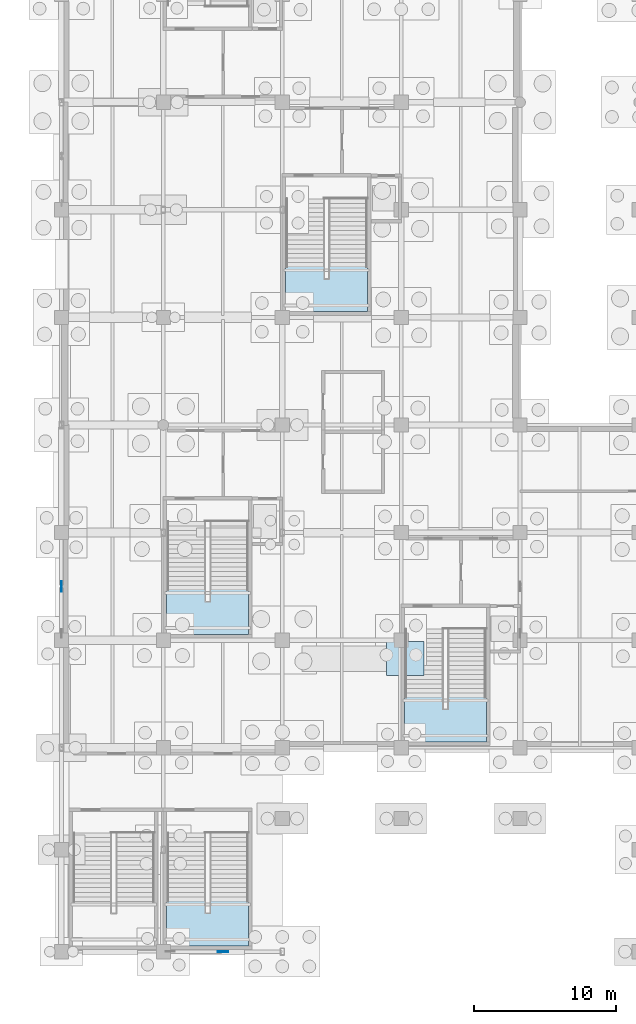
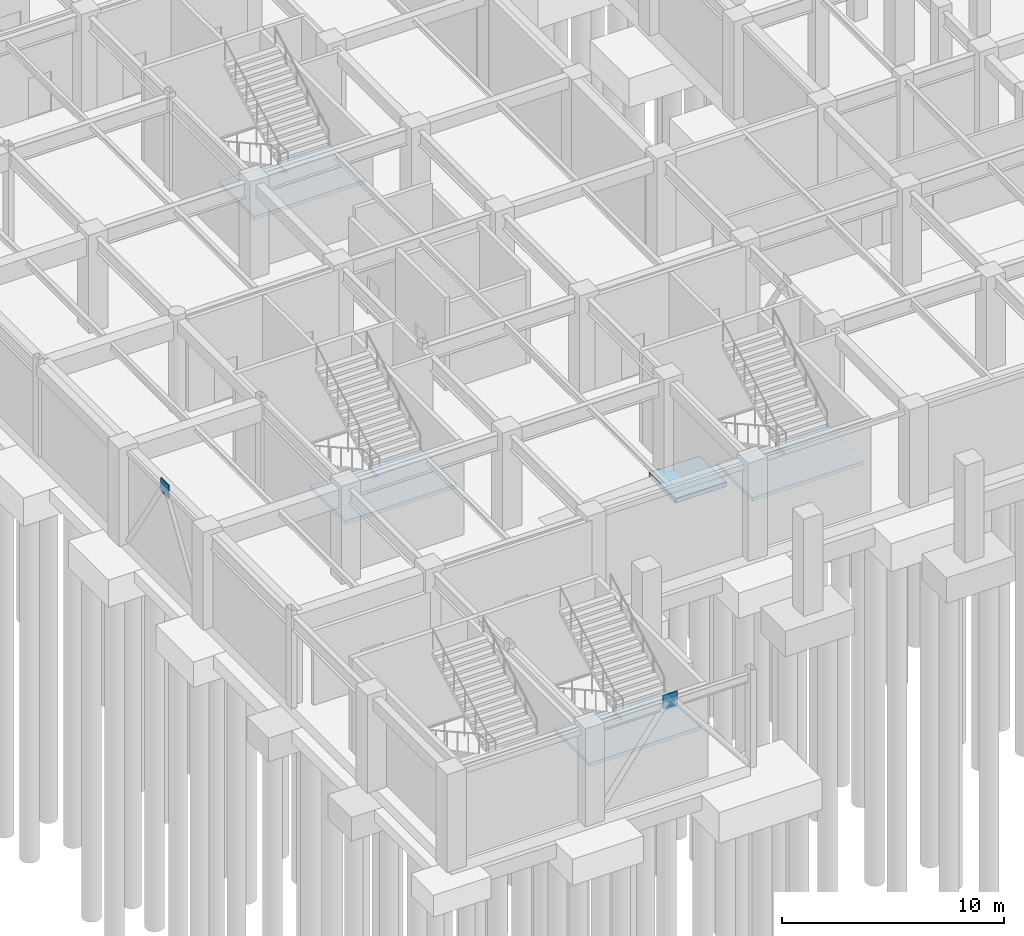
# One storey, part 31 of 52: 5 slabs, 2 plates, 4 elements without a shape of their own.
"""IFC4 building model written with IfcOpenShell, lengths in metres."""

from ifc_helpers import new_model, si_unit, direction, frame, origin, origin_2d, place, context, subcontext, project, spatial, polyline, rectangle, outline, extrude, material, layer, layer_set, type_object, element, aggregate, save


model = new_model("IFC4")

# Units and contexts
model_context = context("Model", 3, precision=1e-05, world=origin(), true_north=direction((0.0, 1.0)))
body_context = subcontext(model_context, "Body", "Model", "MODEL_VIEW")
ifc_project = project(units=[si_unit("LENGTHUNIT", "METRE"), si_unit("AREAUNIT", "SQUARE_METRE"), si_unit("VOLUMEUNIT", "CUBIC_METRE"), si_unit("PLANEANGLEUNIT", "RADIAN"), si_unit("MASSUNIT", "GRAM", prefix="KILO")], contexts=[model_context])

# Site, building, storey
site_placement = place(None, origin())
site = spatial("IfcSite", under=ifc_project, at=site_placement, CompositionType="ELEMENT")
building_placement = place(site_placement, origin())
building = spatial("IfcBuilding", under=site, at=building_placement, Name="Xicomal Pleat Aquarium", CompositionType="ELEMENT")
storey_placement = place(building_placement, frame((0.0, 0.0, -5.39990234375)))
storey = spatial("IfcBuildingStorey", under=building, at=storey_placement, Name="B1", CompositionType="ELEMENT", Elevation=-5.39990234375)

# Plates
ifc_material_1 = material(Name="Structural steel A992 Gr 50", Category="steel")
ifc_layer_1 = layer(ifc_material_1, 0.044921875)
ifc_layer_set_1 = layer_set([ifc_layer_1], Name="Structural steel A992 Gr 50")
plate_type = type_object("IfcPlateType", Name="PLT-GUS-45", PredefinedType="USERDEFINED", material=ifc_layer_set_1)
for number, where, z_axis, x_axis, name in (
    (1, (3.0, 26.60009765625, 4.6748046875), (0.0, 0.0, 1.0), (0.0, 1.0, 0.0), "B1 chevron gusset node plate 1"),
    (2, (14.39990234375, 0.800048828125, 4.6748046875), (0.0, 0.0, 1.0), (1.0, 0.0, 0.0), "B1 chevron gusset node plate 31"),
):
    element("IfcPlate", number, at=place(storey_placement, frame(where, z_axis=z_axis, x_axis=x_axis)), inside=storey, type_object=plate_type, Name=name, ObjectType="GUSSET PLATE", PredefinedType="USERDEFINED", context=body_context, shape_type="SweptSolid", body=[
        extrude(rectangle(XDim=0.75, YDim=0.044921875, at=origin_2d()), origin(), (0.0, 0.0, 1.0), 0.75),
    ])

# Slab
ifc_material_2 = material(Name="Concrete C40/50", Category="concrete")
ifc_layer_2 = layer(ifc_material_2, 0.260009765625)
ifc_layer_set_2 = layer_set([ifc_layer_2], Name="Concrete C40/50")
slab_type_1 = type_object("IfcSlabType", Name="SLB-FLR-260", PredefinedType="FLOOR", material=ifc_layer_set_2)
slab_1_placement = place(storey_placement, origin())
element("IfcSlab", 3, at=slab_1_placement, inside=storey, type_object=slab_type_1, Name="B1 accessible ramp arrival landing PR-01", PredefinedType="FLOOR", context=body_context, shape_type="SweptSolid", body=[
    extrude(outline(polyline([(25.949951171875, 20.300048828125), (28.60009765625, 20.300048828125), (28.60009765625, 22.699951171875), (25.949951171875, 22.699951171875), (25.949951171875, 20.300048828125)])), origin(), (0.0, 0.0, 1.0), 0.25),
])

# Stair, slab
ifc_material_3 = material(Name="Concrete C35/45", Category="concrete")
stair_type = type_object("IfcStairType", Name="STR-HT-5400-2400", PredefinedType="HALF_TURN_STAIR", material=ifc_material_3)
stair_1_placement = place(storey_placement, origin())
stair_1 = element("IfcStair", 4, at=stair_1_placement, inside=storey, type_object=stair_type, Name="ST-01 fire exit stair B1 to L01", PredefinedType="HALF_TURN_STAIR")
ifc_material_4 = material(Name="Concrete C35/45", Category="concrete")
ifc_layer_3 = layer(ifc_material_4, 0.195068359375)
ifc_layer_set_3 = layer_set([ifc_layer_3], Name="Concrete C35/45")
slab_type_2 = type_object("IfcSlabType", Name="SLB-LND-195", PredefinedType="LANDING", material=ifc_layer_set_3)
slab_2_placement = place(storey_placement, frame((0.0, 0.0, 2.5048828125)))
slab_2 = element("IfcSlab", 5, at=slab_2_placement, type_object=slab_type_2, Name="ST-01 landing 1", PredefinedType="LANDING", context=body_context, shape_type="SweptSolid", body=[
    extrude(outline(polyline([(10.43994140625, 23.199951171875), (16.219970703125, 23.199951171875), (16.219970703125, 26.409912109375), (13.47998046875, 26.409912109375), (13.47998046875, 25.5), (13.179931640625, 25.5), (13.179931640625, 26.409912109375), (10.43994140625, 26.409912109375), (10.43994140625, 23.199951171875)])), origin(), (0.0, 0.0, 1.0), 0.195068359375),
])
aggregate(stair_1, [slab_2])

stair_2_placement = place(storey_placement, origin())
stair_2 = element("IfcStair", 6, at=stair_2_placement, inside=storey, type_object=stair_type, Name="ST-02 fire exit stair B1 to L01", PredefinedType="HALF_TURN_STAIR")
slab_3_placement = place(storey_placement, frame((0.0, 0.0, 2.5048828125)))
slab_3 = element("IfcSlab", 7, at=slab_3_placement, type_object=slab_type_2, Name="ST-02 landing 1", PredefinedType="LANDING", context=body_context, shape_type="SweptSolid", body=[
    extrude(outline(polyline([(27.239990234375, 15.60009765625), (33.02001953125, 15.60009765625), (33.02001953125, 18.81005859375), (30.280029296875, 18.81005859375), (30.280029296875, 17.89990234375), (29.97998046875, 17.89990234375), (29.97998046875, 18.81005859375), (27.239990234375, 18.81005859375), (27.239990234375, 15.60009765625)])), origin(), (0.0, 0.0, 1.0), 0.195068359375),
])
aggregate(stair_2, [slab_3])

stair_3_placement = place(storey_placement, origin())
stair_3 = element("IfcStair", 8, at=stair_3_placement, inside=storey, type_object=stair_type, Name="ST-04 fire exit stair B1 to L01", PredefinedType="HALF_TURN_STAIR")
slab_4_placement = place(storey_placement, frame((0.0, 0.0, 2.5048828125)))
slab_4 = element("IfcSlab", 9, at=slab_4_placement, type_object=slab_type_2, Name="ST-04 landing 1", PredefinedType="LANDING", context=body_context, shape_type="SweptSolid", body=[
    extrude(outline(polyline([(18.840087890625, 46.0), (24.6201171875, 46.0), (24.6201171875, 49.2099609375), (21.8798828125, 49.2099609375), (21.8798828125, 48.300048828125), (21.580078125, 48.300048828125), (21.580078125, 49.2099609375), (18.840087890625, 49.2099609375), (18.840087890625, 46.0)])), origin(), (0.0, 0.0, 1.0), 0.195068359375),
])
aggregate(stair_3, [slab_4])

stair_4_placement = place(storey_placement, origin())
stair_4 = element("IfcStair", 10, at=stair_4_placement, inside=storey, type_object=stair_type, Name="ST-09 fire exit stair B1 to L01", PredefinedType="HALF_TURN_STAIR")
slab_5_placement = place(storey_placement, frame((0.0, 0.0, 2.5048828125)))
slab_5 = element("IfcSlab", 11, at=slab_5_placement, type_object=slab_type_2, Name="ST-09 landing 1", PredefinedType="LANDING", context=body_context, shape_type="SweptSolid", body=[
    extrude(outline(polyline([(10.43994140625, 1.199951171875), (16.219970703125, 1.199951171875), (16.219970703125, 4.409912109375), (13.47998046875, 4.409912109375), (13.47998046875, 3.5), (13.179931640625, 3.5), (13.179931640625, 4.409912109375), (10.43994140625, 4.409912109375), (10.43994140625, 1.199951171875)])), origin(), (0.0, 0.0, 1.0), 0.195068359375),
])
aggregate(stair_4, [slab_5])

save(model, "model.ifc")
